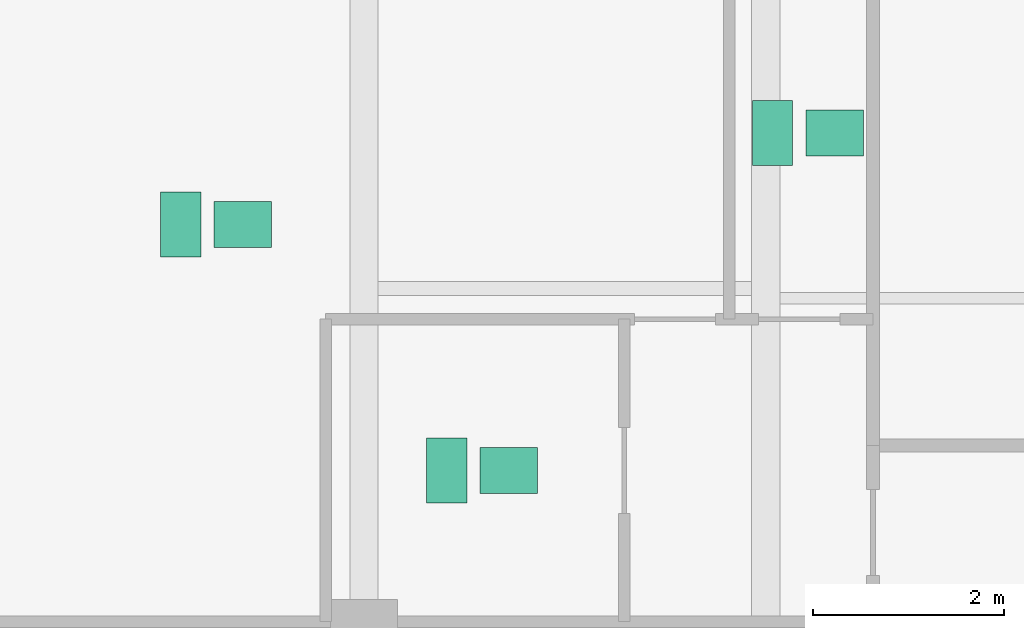
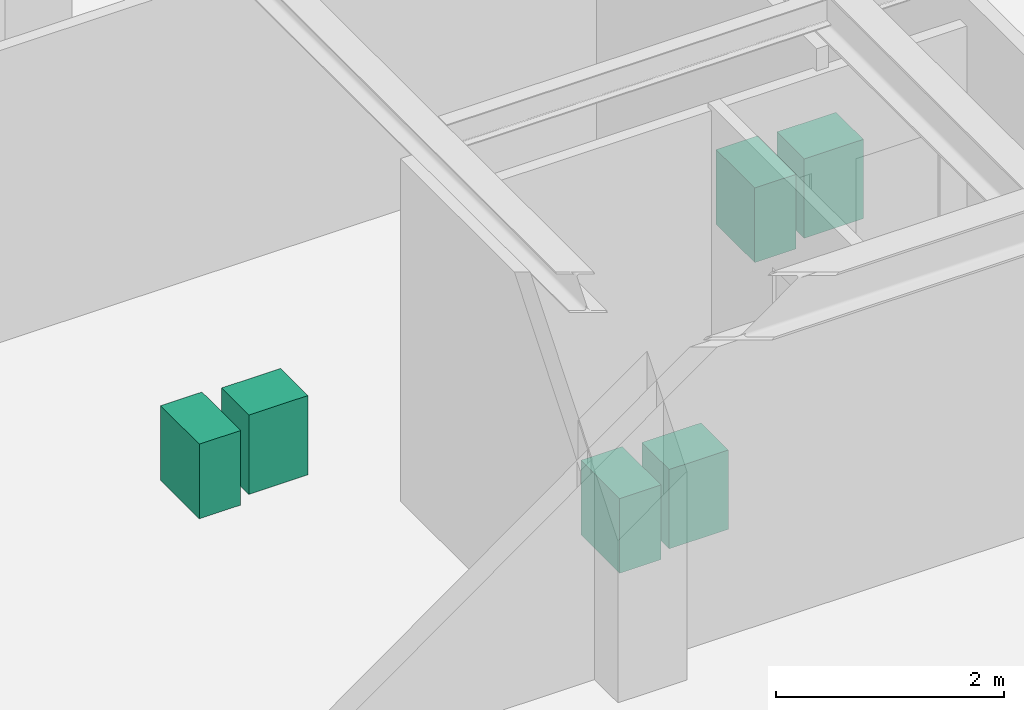
# One storey, part 21 of 21: 6 sanitary terminals.
"""IFC4 building model written with IfcOpenShell, lengths in metres."""

from ifc_helpers import new_model, si_unit, direction, frame, origin, origin_2d, place, context, subcontext, project, spatial, rectangle, extrude, source, transform, mapped, material, type_object, type_shapes, element, save


model = new_model("IFC4")

# Units and contexts
model_context = context("Model", 3, precision=1e-05, world=origin(), true_north=direction((0.0, 1.0)))
body_context = subcontext(model_context, "Body", "Model", "MODEL_VIEW")
ifc_project = project(units=[si_unit("LENGTHUNIT", "METRE"), si_unit("AREAUNIT", "SQUARE_METRE"), si_unit("VOLUMEUNIT", "CUBIC_METRE"), si_unit("PLANEANGLEUNIT", "RADIAN"), si_unit("MASSUNIT", "GRAM", prefix="KILO")], contexts=[model_context])

# Site, building, storey
site_placement = place(None, origin())
site = spatial("IfcSite", under=ifc_project, at=site_placement, CompositionType="ELEMENT")
building_placement = place(site_placement, origin())
building = spatial("IfcBuilding", under=site, at=building_placement, Name="Krantzveldt Concourse Tower", CompositionType="ELEMENT")
storey_placement = place(building_placement, frame((0.0, 0.0, 327.699951171875)))
storey = spatial("IfcBuildingStorey", under=building, at=storey_placement, Name="L80", CompositionType="ELEMENT", Elevation=327.699951171875)

# Sanitary terminals
ifc_material = material(Name="Vitreous china", Category="ceramic")
sanitary_terminal_type_1 = type_object("IfcSanitaryTerminalType", Name="SAN-WC-SUITE", PredefinedType="TOILETPAN", material=ifc_material)
shared_shape_1 = source(origin(), body_context, "Body", "SweptSolid", [
    extrude(rectangle(XDim=0.419921875, YDim=0.679931640625, at=origin_2d()), origin(), (0.0, 0.0, 1.0), 0.800048828125),
])
type_shapes(sanitary_terminal_type_1, [shared_shape_1])
for number, where, z_axis, x_axis, name in (
    (1, (19.08544921875, 30.967529296875, 0.0), (0.0, 0.0, 1.0), (1.0, 0.0, 0.0), "WC-SP-L80-WCM"),
    (2, (25.27001953125, 31.925048828125, 0.0), (0.0, 0.0, 1.0), (1.0, 0.0, 0.0), "WC-SP-L80-WCF"),
    (3, (21.864990234375, 28.39990234375, 0.0), (0.0, 0.0, 1.0), (1.0, 0.0, 0.0), "WC-SP-L80-WCA"),
):
    element("IfcSanitaryTerminal", number, at=place(storey_placement, frame(where, z_axis=z_axis, x_axis=x_axis)), inside=storey, type_object=sanitary_terminal_type_1, Name=name, PredefinedType="TOILETPAN", context=body_context, shape_type="MappedRepresentation", body=[
        mapped(shared_shape_1, transform((0.0, 0.0, 0.0), x_axis=(1.0, 0.0, 0.0), y_axis=(0.0, 1.0, 0.0), z_axis=(0.0, 0.0, 1.0), scale=1.0)),
    ])
sanitary_terminal_type_2 = type_object("IfcSanitaryTerminalType", Name="SAN-BASIN-600", PredefinedType="WASHHANDBASIN", material=ifc_material)
shared_shape_2 = source(origin(), body_context, "Body", "SweptSolid", [
    extrude(rectangle(XDim=0.60009765625, YDim=0.47998046875, at=origin_2d()), origin(), (0.0, 0.0, 1.0), 0.85009765625),
])
type_shapes(sanitary_terminal_type_2, [shared_shape_2])
for number, where, z_axis, x_axis, name in (
    (4, (19.7353515625, 30.967529296875, 0.0048828125), (0.0, 0.0, 1.0), (1.0, 0.0, 0.0), "BSN-SP-L80-WCM"),
    (5, (25.919921875, 31.925048828125, 0.0048828125), (0.0, 0.0, 1.0), (1.0, 0.0, 0.0), "BSN-SP-L80-WCF"),
    (6, (22.514892578125, 28.39990234375, 0.0048828125), (0.0, 0.0, 1.0), (1.0, 0.0, 0.0), "BSN-SP-L80-WCA"),
):
    element("IfcSanitaryTerminal", number, at=place(storey_placement, frame(where, z_axis=z_axis, x_axis=x_axis)), inside=storey, type_object=sanitary_terminal_type_2, Name=name, PredefinedType="WASHHANDBASIN", context=body_context, shape_type="MappedRepresentation", body=[
        mapped(shared_shape_2, transform((0.0, 0.0, 0.0), x_axis=(1.0, 0.0, 0.0), y_axis=(0.0, 1.0, 0.0), z_axis=(0.0, 0.0, 1.0), scale=1.0)),
    ])

save(model, "model.ifc")
